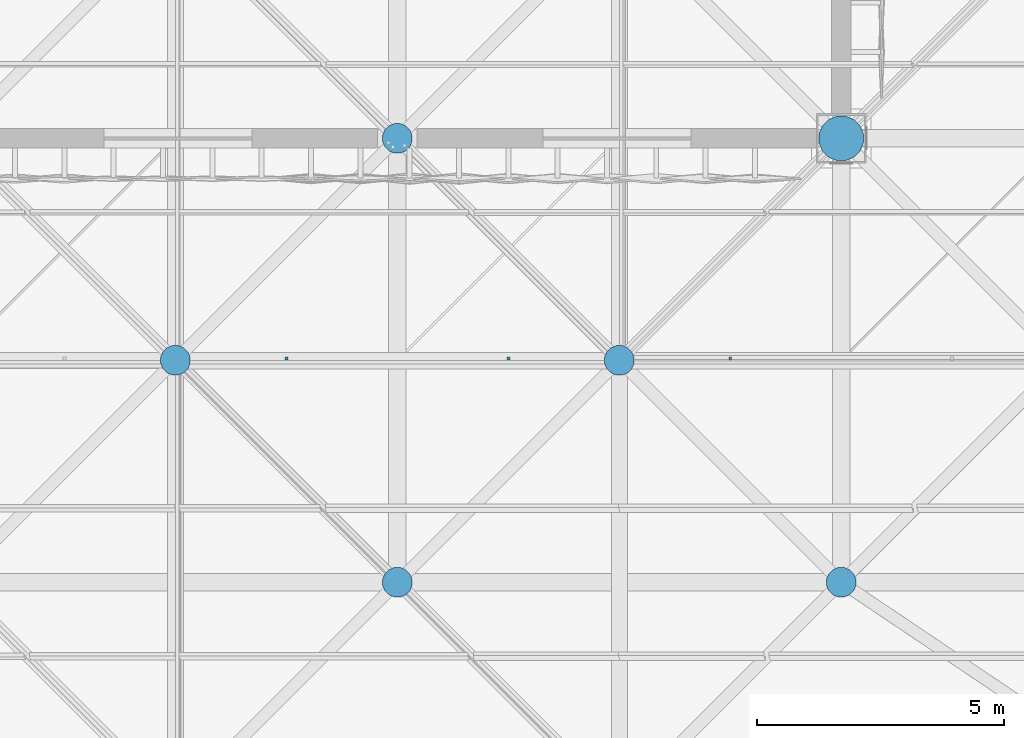
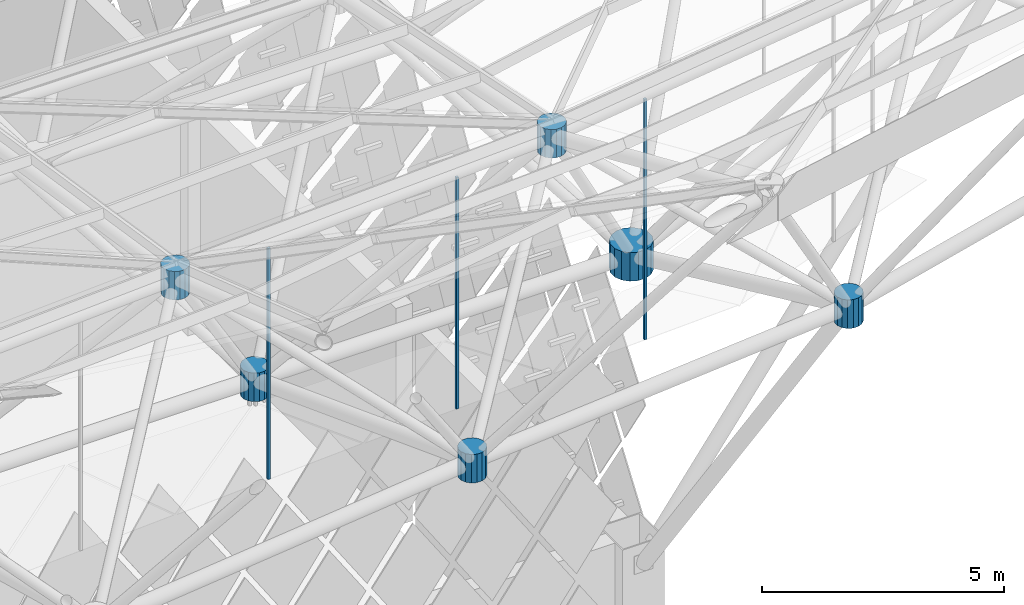
# One storey, part 307 of 437: 9 discrete accessories.
"""IFC4 building model written with IfcOpenShell, lengths in metres."""

import ifcopenshell
import ifcopenshell.guid

model = None  # the IFC model being written
_history = None  # IfcOwnerHistory: only IFC2X3 demands one
_inside = {}  # id of a spatial element -> (the spatial element, [elements in it])
_under = {}  # id of a project, library or spatial element -> (it, [spatial elements below it])
_declared = {}  # id of a project -> (the project, [libraries it declares])
_typed = {}  # id of a type object -> (the type object, [elements of that type])
_made_of = {}  # id of a material, layer set ... -> (it, [elements and type objects made of it])


def new_model(schema):
    """Start an empty IFC model of exactly this schema.

    Asked for "IFC4X3", IfcOpenShell would pick the latest addendum, in which some entities
    have other attributes; the version numbers below select the first issue.
    IFC2X3 requires an IfcOwnerHistory on every rooted entity: one is made here for all.
    """
    global model, _history
    if schema == "IFC4X3":
        model = ifcopenshell.file(schema_version=(4, 3, 0, 0))
    else:
        model = ifcopenshell.file(schema=schema)
    _inside.clear()
    _under.clear()
    _declared.clear()
    _typed.clear()
    _made_of.clear()
    _history = None
    if model.schema == "IFC2X3":
        org = make("IfcOrganization", Name="unknown")
        user = make(
            "IfcPersonAndOrganization",
            ThePerson=make("IfcPerson", FamilyName="unknown"),
            TheOrganization=org,
        )
        app = make(
            "IfcApplication",
            ApplicationDeveloper=org,
            Version="unknown",
            ApplicationFullName="unknown",
            ApplicationIdentifier="unknown",
        )
        _history = make(
            "IfcOwnerHistory",
            OwningUser=user,
            OwningApplication=app,
            ChangeAction="ADDED",
            CreationDate=0,
        )
    return model


def make(cls, **values):
    """One entity of the class cls with the attributes given. An attribute that is None is left unset."""
    return model.create_entity(
        cls, **{name: value for name, value in values.items() if value is not None}
    )


def rooted(cls, **values):
    """An entity with a GlobalId (a new one), such as an element, a storey or a relation."""
    return make(cls, GlobalId=ifcopenshell.guid.new(), OwnerHistory=_history, **values)


def si_unit(unit_type, name, prefix=None):
    """IfcSIUnit, for example si_unit("LENGTHUNIT", "METRE", prefix="MILLI")."""
    return make("IfcSIUnit", UnitType=unit_type, Prefix=prefix, Name=name)


def assignment(units):
    """IfcUnitAssignment: the units of a project."""
    return None if units is None else make("IfcUnitAssignment", Units=units)


def point(xyz):
    """IfcCartesianPoint."""
    return None if xyz is None else make("IfcCartesianPoint", Coordinates=xyz)


def direction(xyz):
    """IfcDirection."""
    return None if xyz is None else make("IfcDirection", DirectionRatios=xyz)


def frame(location, z_axis=None, x_axis=None):
    """IfcAxis2Placement3D, a coordinate frame: its origin and axes. An axis left out is left unset."""
    return make(
        "IfcAxis2Placement3D",
        Location=point(location),
        Axis=direction(z_axis),
        RefDirection=direction(x_axis),
    )


def origin():
    """The frame at (0, 0, 0) with its axes left unset."""
    return frame((0.0, 0.0, 0.0))


def place(relative_to, where):
    """IfcLocalPlacement: puts the frame where relative to a parent placement (None: the world)."""
    return make(
        "IfcLocalPlacement", PlacementRelTo=relative_to, RelativePlacement=where
    )


def context(
    kind, dimensions, precision=None, world=None, true_north=None, identifier=None
):
    """IfcGeometricRepresentationContext, for example the 3D "Model" context."""
    return make(
        "IfcGeometricRepresentationContext",
        ContextIdentifier=identifier,
        ContextType=kind,
        CoordinateSpaceDimension=dimensions,
        Precision=precision,
        WorldCoordinateSystem=world,
        TrueNorth=true_north,
    )


def subcontext(parent, identifier, kind, view, scale=None):
    """IfcGeometricRepresentationSubContext, for example "Body" below "Model"."""
    return make(
        "IfcGeometricRepresentationSubContext",
        ContextIdentifier=identifier,
        ContextType=kind,
        ParentContext=parent,
        TargetScale=scale,
        TargetView=view,
    )


def project(units=None, contexts=None):
    """IfcProject with its units and contexts."""
    return rooted(
        "IfcProject",
        Name="project",
        RepresentationContexts=contexts,
        UnitsInContext=assignment(units),
    )


def spatial(cls, under=None, at=None, **own):
    """A site, building, storey or space (cls), placed at a placement, below another one or the project."""
    s = rooted(cls, ObjectPlacement=at, **own)
    if under is not None:
        _under.setdefault(under.id(), (under, []))[1].append(s)
    return s


def polyline(points):
    """IfcPolyline through the points."""
    return make("IfcPolyline", Points=[point(p) for p in points])


def outline(outer, holes=None, kind="AREA"):
    """IfcArbitraryClosedProfileDef: a profile drawn as a closed curve; with holes, ...WithVoids."""
    if holes is None:
        return make("IfcArbitraryClosedProfileDef", ProfileType=kind, OuterCurve=outer)
    return make(
        "IfcArbitraryProfileDefWithVoids",
        ProfileType=kind,
        OuterCurve=outer,
        InnerCurves=holes,
    )


def extrude(swept, where, along, depth):
    """IfcExtrudedAreaSolid: the profile swept, set in the frame where, extruded along a direction by depth."""
    return make(
        "IfcExtrudedAreaSolid",
        SweptArea=swept,
        Position=where,
        ExtrudedDirection=direction(along),
        Depth=depth,
    )


def shape(context_of_items, identifier, shape_type, items):
    """IfcShapeRepresentation: the items that make up one representation, for example the "Body"."""
    return make(
        "IfcShapeRepresentation",
        ContextOfItems=context_of_items,
        RepresentationIdentifier=identifier,
        RepresentationType=shape_type,
        Items=items,
    )


def material(Name=None, Category=None):
    """IfcMaterial."""
    return make("IfcMaterial", Name=Name, Category=Category)


def made_of(thing, what):
    """Note that an element or type object is made of a material, layer set ...; save() writes the relation."""
    if what is not None:
        _made_of.setdefault(what.id(), (what, []))[1].append(thing)
    return thing


def type_object(cls, material=None, **own):
    """A type object (cls), such as IfcWallType, which elements share."""
    return made_of(rooted(cls, **own), material)


def element(
    cls,
    number,
    at=None,
    inside=None,
    cuts=None,
    type_object=None,
    material=None,
    context=None,
    identifier="Body",
    shape_type=None,
    held_by="IfcProductDefinitionShape",
    body=None,
    shapes=None,
    **own,
):
    """One element of the class cls, such as IfcWall. Its Tag is "e" and its number.

    at: its placement. inside: the storey or other place that contains it. cuts: it is an
    opening in that element (IfcRelVoidsElement). A single representation is given by context,
    identifier, shape_type and body (its items); several are given by shapes. held_by: the class
    of the entity that holds the representations. save() writes the other relations.
    """
    e = rooted(cls, Tag="e%d" % number, ObjectPlacement=at, **own)
    if body is not None:
        shapes = [shape(context, identifier, shape_type, body)]
    if shapes is not None:
        e.Representation = make(held_by, Representations=shapes)
    if inside is not None:
        _inside.setdefault(inside.id(), (inside, []))[1].append(e)
    if cuts is not None:
        rooted(
            "IfcRelVoidsElement", RelatingBuildingElement=cuts, RelatedOpeningElement=e
        )
    if type_object is not None:
        _typed.setdefault(type_object.id(), (type_object, []))[1].append(e)
    return made_of(e, material)


def aggregate(whole, parts):
    """IfcRelAggregates: a whole, such as a stair, and the parts it consists of."""
    return rooted("IfcRelAggregates", RelatingObject=whole, RelatedObjects=parts)


def save(model, path):
    """Write the relations noted so far, then the file.

    IfcRelAggregates (storeys below a building ...), IfcRelContainedInSpatialStructure (elements
    in a storey), IfcRelDefinesByType, IfcRelAssociatesMaterial and IfcRelDeclares: one each for
    every whole, place, type object, material and project.
    """
    for whole, parts in _under.values():
        aggregate(whole, parts)
    for where, things in _inside.values():
        rooted(
            "IfcRelContainedInSpatialStructure",
            RelatedElements=things,
            RelatingStructure=where,
        )
    for kind, things in _typed.values():
        rooted("IfcRelDefinesByType", RelatedObjects=things, RelatingType=kind)
    for what, things in _made_of.values():
        rooted("IfcRelAssociatesMaterial", RelatedObjects=things, RelatingMaterial=what)
    for by, libraries in _declared.values():
        rooted("IfcRelDeclares", RelatingContext=by, RelatedDefinitions=libraries)
    model.write(path)


model = new_model("IFC4")

# Units and contexts
model_context = context("Model", 3, precision=1e-05, world=origin(), true_north=direction((0.0, 1.0)))
body_context = subcontext(model_context, "Body", "Model", "MODEL_VIEW")
ifc_project = project(units=[si_unit("LENGTHUNIT", "METRE"), si_unit("AREAUNIT", "SQUARE_METRE"), si_unit("VOLUMEUNIT", "CUBIC_METRE"), si_unit("PLANEANGLEUNIT", "RADIAN"), si_unit("MASSUNIT", "GRAM", prefix="KILO")], contexts=[model_context])

# Site, building, storey
site_placement = place(None, origin())
site = spatial("IfcSite", under=ifc_project, at=site_placement, CompositionType="ELEMENT")
building_placement = place(site_placement, origin())
building = spatial("IfcBuilding", under=site, at=building_placement, Name="Opaline Strait Convention Centre", CompositionType="ELEMENT")
storey_placement = place(building_placement, frame((0.0, 0.0, 11.5)))
storey = spatial("IfcBuildingStorey", under=building, at=storey_placement, Name="L02", CompositionType="ELEMENT", Elevation=11.5)

# Discrete accessories
ifc_material_1 = material(Name="Steel Q355B", Category="steel")
discrete_accessory_type_1 = type_object("IfcDiscreteAccessoryType", Name="Soffit hanger 60x60 steel", PredefinedType="BRACKET", material=ifc_material_1)
discrete_accessory_1_placement = place(storey_placement, frame((0.0, 0.0, 13.478271484375)))
element("IfcDiscreteAccessory", 1, at=discrete_accessory_1_placement, inside=storey, type_object=discrete_accessory_type_1, Name="Soffit hanger", PredefinedType="BRACKET", context=body_context, shape_type="SweptSolid", body=[
    extrude(outline(polyline([(249.719970703125, 49.5048828125), (249.780029296875, 49.5048828125), (249.780029296875, 49.56494140625), (249.719970703125, 49.56494140625), (249.719970703125, 49.5048828125)])), origin(), (0.0, 0.0, 1.0), 5.84130859375),
])
discrete_accessory_2_placement = place(storey_placement, frame((0.0, 0.0, 13.68359375)))
element("IfcDiscreteAccessory", 2, at=discrete_accessory_2_placement, inside=storey, type_object=discrete_accessory_type_1, Name="Soffit hanger", PredefinedType="BRACKET", context=body_context, shape_type="SweptSolid", body=[
    extrude(outline(polyline([(254.219970703125, 49.5048828125), (254.280029296875, 49.5048828125), (254.280029296875, 49.56494140625), (254.219970703125, 49.56494140625), (254.219970703125, 49.5048828125)])), origin(), (0.0, 0.0, 1.0), 5.854248046875),
])
discrete_accessory_3_placement = place(storey_placement, frame((0.0, 0.0, 13.85888671875)))
element("IfcDiscreteAccessory", 3, at=discrete_accessory_3_placement, inside=storey, type_object=discrete_accessory_type_1, Name="Soffit hanger", PredefinedType="BRACKET", context=body_context, shape_type="SweptSolid", body=[
    extrude(outline(polyline([(258.719970703125, 49.5048828125), (258.780029296875, 49.5048828125), (258.780029296875, 49.56494140625), (258.719970703125, 49.56494140625), (258.719970703125, 49.5048828125)])), origin(), (0.0, 0.0, 1.0), 6.080810546875),
])
ifc_material_2 = material(Name="Cast steel ZG300-500H (300 MPa)", Category="steel")
discrete_accessory_type_2 = type_object("IfcDiscreteAccessoryType", Name="Space frame bearing node hub D900", PredefinedType="USERDEFINED", material=ifc_material_2)
discrete_accessory_4_placement = place(storey_placement, frame((0.0, 0.0, 12.139892578125)))
element("IfcDiscreteAccessory", 4, at=discrete_accessory_4_placement, inside=storey, type_object=discrete_accessory_type_2, Name="Bottom node 20/2", ObjectType="NODE HUB", PredefinedType="USERDEFINED", context=body_context, shape_type="SweptSolid", body=[
    extrude(outline(polyline([(261.449951171875, 54.089599609375), (261.381591796875, 54.2548828125), (261.2548828125, 54.381591796875), (261.089599609375, 54.449951171875), (260.910400390625, 54.449951171875), (260.7451171875, 54.381591796875), (260.618408203125, 54.2548828125), (260.550048828125, 54.089599609375), (260.550048828125, 53.910400390625), (260.618408203125, 53.7451171875), (260.7451171875, 53.618408203125), (260.910400390625, 53.550048828125), (261.089599609375, 53.550048828125), (261.2548828125, 53.618408203125), (261.381591796875, 53.7451171875), (261.449951171875, 53.910400390625), (261.449951171875, 54.089599609375)])), origin(), (0.0, 0.0, 1.0), 0.72021484375),
])
discrete_accessory_type_3 = type_object("IfcDiscreteAccessoryType", Name="Space frame node hub D600", PredefinedType="USERDEFINED", material=ifc_material_2)
discrete_accessory_5_placement = place(storey_placement, frame((0.0, 0.0, 19.012939453125)))
element("IfcDiscreteAccessory", 5, at=discrete_accessory_5_placement, inside=storey, type_object=discrete_accessory_type_3, Name="Top node 19/2", ObjectType="NODE HUB", PredefinedType="USERDEFINED", context=body_context, shape_type="SweptSolid", body=[
    extrude(outline(polyline([(247.800048828125, 49.559814453125), (247.75439453125, 49.669921875), (247.669921875, 49.75439453125), (247.559814453125, 49.800048828125), (247.440185546875, 49.800048828125), (247.330078125, 49.75439453125), (247.24560546875, 49.669921875), (247.199951171875, 49.559814453125), (247.199951171875, 49.440185546875), (247.24560546875, 49.330078125), (247.330078125, 49.24560546875), (247.440185546875, 49.199951171875), (247.559814453125, 49.199951171875), (247.669921875, 49.24560546875), (247.75439453125, 49.330078125), (247.800048828125, 49.440185546875), (247.800048828125, 49.559814453125)])), origin(), (0.0, 0.0, 1.0), 0.719970703125),
])
discrete_accessory_6_placement = place(storey_placement, frame((0.0, 0.0, 19.449462890625)))
element("IfcDiscreteAccessory", 6, at=discrete_accessory_6_placement, inside=storey, type_object=discrete_accessory_type_3, Name="Top node 20/2", ObjectType="NODE HUB", PredefinedType="USERDEFINED", context=body_context, shape_type="SweptSolid", body=[
    extrude(outline(polyline([(256.800048828125, 49.559814453125), (256.75439453125, 49.669921875), (256.669921875, 49.75439453125), (256.559814453125, 49.800048828125), (256.440185546875, 49.800048828125), (256.330078125, 49.75439453125), (256.24560546875, 49.669921875), (256.199951171875, 49.559814453125), (256.199951171875, 49.440185546875), (256.24560546875, 49.330078125), (256.330078125, 49.24560546875), (256.440185546875, 49.199951171875), (256.559814453125, 49.199951171875), (256.669921875, 49.24560546875), (256.75439453125, 49.330078125), (256.800048828125, 49.440185546875), (256.800048828125, 49.559814453125)])), origin(), (0.0, 0.0, 1.0), 0.719970703125),
])
discrete_accessory_7_placement = place(storey_placement, frame((0.0, 0.0, 15.54150390625)))
element("IfcDiscreteAccessory", 7, at=discrete_accessory_7_placement, inside=storey, type_object=discrete_accessory_type_3, Name="Bottom node 19/1", ObjectType="NODE HUB", PredefinedType="USERDEFINED", context=body_context, shape_type="SweptSolid", body=[
    extrude(outline(polyline([(252.300048828125, 45.059814453125), (252.25439453125, 45.169921875), (252.169921875, 45.25439453125), (252.059814453125, 45.300048828125), (251.940185546875, 45.300048828125), (251.830078125, 45.25439453125), (251.74560546875, 45.169921875), (251.699951171875, 45.059814453125), (251.699951171875, 44.940185546875), (251.74560546875, 44.830078125), (251.830078125, 44.74560546875), (251.940185546875, 44.699951171875), (252.059814453125, 44.699951171875), (252.169921875, 44.74560546875), (252.25439453125, 44.830078125), (252.300048828125, 44.940185546875), (252.300048828125, 45.059814453125)])), origin(), (0.0, 0.0, 1.0), 0.719970703125),
])
discrete_accessory_8_placement = place(storey_placement, frame((0.0, 0.0, 12.139892578125)))
element("IfcDiscreteAccessory", 8, at=discrete_accessory_8_placement, inside=storey, type_object=discrete_accessory_type_3, Name="Bottom node 19/2", ObjectType="NODE HUB", PredefinedType="USERDEFINED", context=body_context, shape_type="SweptSolid", body=[
    extrude(outline(polyline([(252.300048828125, 54.059814453125), (252.25439453125, 54.169921875), (252.169921875, 54.25439453125), (252.059814453125, 54.300048828125), (251.940185546875, 54.300048828125), (251.830078125, 54.25439453125), (251.74560546875, 54.169921875), (251.699951171875, 54.059814453125), (251.699951171875, 53.940185546875), (251.74560546875, 53.830078125), (251.830078125, 53.74560546875), (251.940185546875, 53.699951171875), (252.059814453125, 53.699951171875), (252.169921875, 53.74560546875), (252.25439453125, 53.830078125), (252.300048828125, 53.940185546875), (252.300048828125, 54.059814453125)])), origin(), (0.0, 0.0, 1.0), 0.72021484375),
])
discrete_accessory_9_placement = place(storey_placement, frame((0.0, 0.0, 16.29638671875)))
element("IfcDiscreteAccessory", 9, at=discrete_accessory_9_placement, inside=storey, type_object=discrete_accessory_type_3, Name="Bottom node 20/1", ObjectType="NODE HUB", PredefinedType="USERDEFINED", context=body_context, shape_type="SweptSolid", body=[
    extrude(outline(polyline([(261.300048828125, 45.059814453125), (261.25439453125, 45.169921875), (261.169921875, 45.25439453125), (261.059814453125, 45.300048828125), (260.940185546875, 45.300048828125), (260.830078125, 45.25439453125), (260.74560546875, 45.169921875), (260.699951171875, 45.059814453125), (260.699951171875, 44.940185546875), (260.74560546875, 44.830078125), (260.830078125, 44.74560546875), (260.940185546875, 44.699951171875), (261.059814453125, 44.699951171875), (261.169921875, 44.74560546875), (261.25439453125, 44.830078125), (261.300048828125, 44.940185546875), (261.300048828125, 45.059814453125)])), origin(), (0.0, 0.0, 1.0), 0.719970703125),
])

save(model, "model.ifc")
